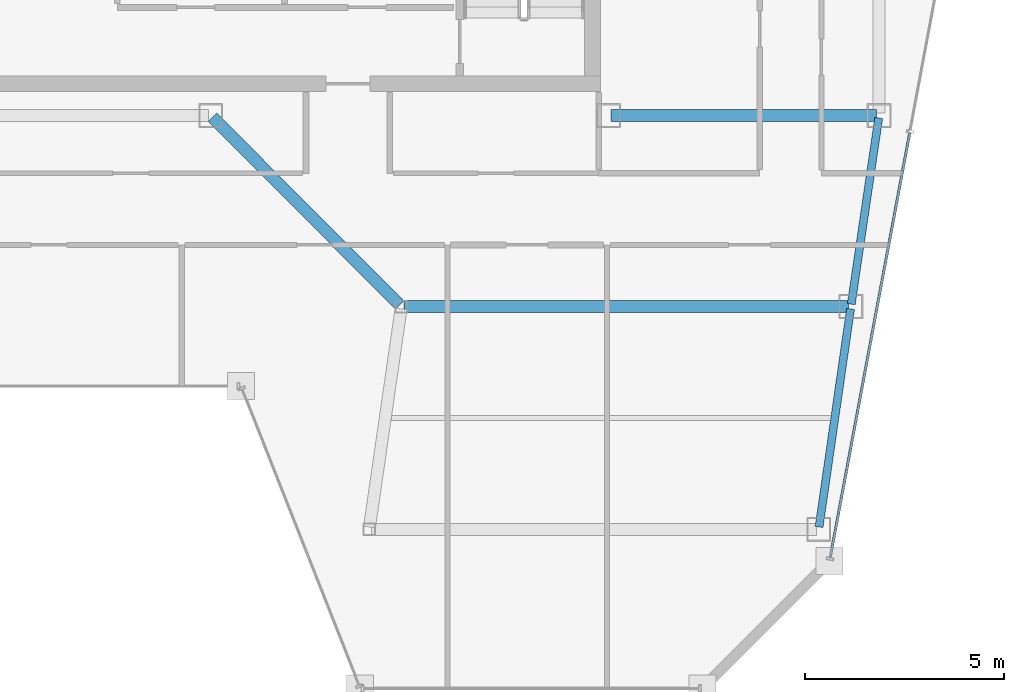
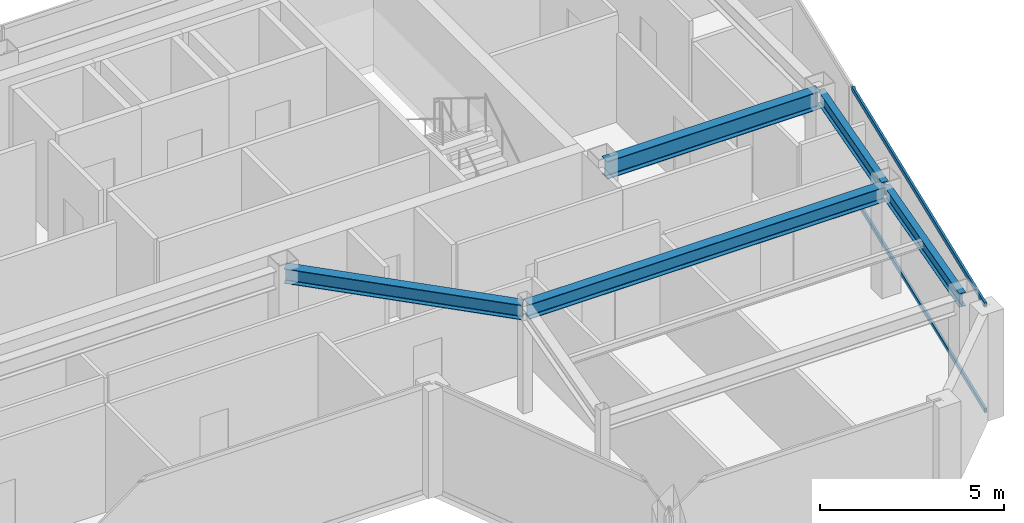
# One storey, part 13 of 23: 5 beams, 2 members, 1 element without a shape of its own.
"""IFC4 building model written with IfcOpenShell, lengths in metres."""

from ifc_helpers import new_model, si_unit, direction, frame, origin, origin_2d, place, context, subcontext, project, spatial, hollow_rectangle, i_section, extrude, material, material_profile, profile_set, type_object, element, aggregate, save


model = new_model("IFC4")

# Units and contexts
model_context = context("Model", 3, precision=1e-05, world=origin(), true_north=direction((0.0, 1.0)))
body_context = subcontext(model_context, "Body", "Model", "MODEL_VIEW")
ifc_project = project(units=[si_unit("LENGTHUNIT", "METRE"), si_unit("AREAUNIT", "SQUARE_METRE"), si_unit("VOLUMEUNIT", "CUBIC_METRE"), si_unit("PLANEANGLEUNIT", "RADIAN"), si_unit("MASSUNIT", "GRAM", prefix="KILO")], contexts=[model_context])

# Site, building, storey
site_placement = place(None, origin())
site = spatial("IfcSite", under=ifc_project, at=site_placement, CompositionType="ELEMENT")
building_placement = place(site_placement, origin())
building = spatial("IfcBuilding", under=site, at=building_placement, Name="Saevonmaru Cultural Tower", CompositionType="ELEMENT")
storey_placement = place(building_placement, frame((0.0, 0.0, 280.0)))
storey = spatial("IfcBuildingStorey", under=building, at=storey_placement, Name="L66", CompositionType="ELEMENT", Elevation=280.0)

# Beams
ifc_material_1 = material(Name="Steel SM355", Category="steel")
ifc_material_profile_1 = material_profile(ifc_material_1, i_section(OverallWidth=0.300048828125, OverallDepth=0.488037109375, WebThickness=0.010986328125, FlangeThickness=0.01806640625, FilletRadius=0.02197265625, at=origin_2d()), Name="H-488x300x11x18")
ifc_profile_set_1 = profile_set([ifc_material_profile_1], Name="Steel SM355")
beam_type_1 = type_object("IfcBeamType", Name="BM-G-H488", PredefinedType="BEAM", material=ifc_profile_set_1)
beam_1_placement = place(storey_placement, frame((41.149658203125, 37.642578125, 3.305908203125), z_axis=(-0.706538566564, 0.707674539572, 0.0), x_axis=(-0.707674539572, -0.706538566564, 0.0)))
element("IfcBeam", 1, at=beam_1_placement, inside=storey, type_object=beam_type_1, Name="L66 East Atrium Girder 2", PredefinedType="BEAM", context=body_context, shape_type="SweptSolid", body=[
    extrude(i_section(OverallWidth=0.300048828125, OverallDepth=0.488037109375, WebThickness=0.010986328125, FlangeThickness=0.01806640625, FilletRadius=0.02197265625, at=origin_2d()), origin(), (0.0, 0.0, 1.0), 6.662353515625),
])
beam_2_placement = place(storey_placement, frame((41.251953125, 37.60009765625, 3.305908203125), z_axis=(1.0, 0.0, 0.0), x_axis=(0.0, 1.0, 0.0)))
element("IfcBeam", 2, at=beam_2_placement, inside=storey, type_object=beam_type_1, Name="L66 East Wing Transverse Girder 2", PredefinedType="BEAM", context=body_context, shape_type="SweptSolid", body=[
    extrude(i_section(OverallWidth=0.300048828125, OverallDepth=0.488037109375, WebThickness=0.010986328125, FlangeThickness=0.01806640625, FilletRadius=0.02197265625, at=origin_2d()), origin(), (0.0, 0.0, 1.0), 11.179931640625),
])
ifc_material_profile_2 = material_profile(ifc_material_1, i_section(OverallWidth=0.300048828125, OverallDepth=0.587890625, WebThickness=0.011962890625, FlangeThickness=0.02001953125, FilletRadius=0.02392578125, at=origin_2d()), Name="H-588x300x12x20")
ifc_profile_set_2 = profile_set([ifc_material_profile_2], Name="Steel SM355")
beam_type_2 = type_object("IfcBeamType", Name="BM-G-H588", PredefinedType="BEAM", material=ifc_profile_set_2)
beam_3_placement = place(storey_placement, frame((46.4599609375, 42.39990234375, 3.256103515625), z_axis=(1.0, 0.0, 0.0), x_axis=(0.0, 1.0, 0.0)))
element("IfcBeam", 3, at=beam_3_placement, inside=storey, type_object=beam_type_2, Name="L66 Core South Girder 5", PredefinedType="BEAM", context=body_context, shape_type="SweptSolid", body=[
    extrude(i_section(OverallWidth=0.300048828125, OverallDepth=0.587890625, WebThickness=0.011962890625, FlangeThickness=0.02001953125, FilletRadius=0.02392578125, at=origin_2d()), origin(), (0.0, 0.0, 1.0), 6.679931640625),
])
ifc_material_profile_3 = material_profile(ifc_material_1, i_section(OverallWidth=0.199951171875, OverallDepth=0.449951171875, WebThickness=0.009033203125, FlangeThickness=0.013916015625, FilletRadius=0.01806640625, at=origin_2d()), Name="H-450x200x9x14")
ifc_profile_set_3 = profile_set([ifc_material_profile_3], Name="Steel SM355")
beam_type_3 = type_object("IfcBeamType", Name="BM-SP-H450", PredefinedType="SPANDREL", material=ifc_profile_set_3)
beam_4_placement = place(storey_placement, frame((51.691650390625, 32.059326171875, 3.324951171875), z_axis=(0.142964121327, 0.989727871697, 0.0), x_axis=(-0.989727871697, 0.142964121327, 0.0)))
element("IfcBeam", 4, at=beam_4_placement, inside=storey, type_object=beam_type_3, Name="L66 East Splayed Spandrel 1", PredefinedType="SPANDREL", context=body_context, shape_type="SweptSolid", body=[
    extrude(i_section(OverallWidth=0.199951171875, OverallDepth=0.449951171875, WebThickness=0.009033203125, FlangeThickness=0.013916015625, FilletRadius=0.01806640625, at=origin_2d()), origin(), (0.0, 0.0, 1.0), 5.5380859375),
])
beam_5_placement = place(storey_placement, frame((52.500732421875, 37.659423828125, 3.324951171875), z_axis=(0.145912860028, 0.989297446312, 0.0), x_axis=(-0.989297446312, 0.145912860028, 0.0)))
element("IfcBeam", 5, at=beam_5_placement, inside=storey, type_object=beam_type_3, Name="L66 East Splayed Spandrel 2", PredefinedType="SPANDREL", context=body_context, shape_type="SweptSolid", body=[
    extrude(i_section(OverallWidth=0.199951171875, OverallDepth=0.449951171875, WebThickness=0.009033203125, FlangeThickness=0.013916015625, FilletRadius=0.01806640625, at=origin_2d()), origin(), (0.0, 0.0, 1.0), 4.731689453125),
])

# Curtain wall, members
ifc_material_2 = material(Name="Satin Bronze Anodised Aluminium", Category="aluminium")
curtain_wall_type = type_object("IfcCurtainWallType", Name="CW-TYP-B", PredefinedType="NOTDEFINED", material=ifc_material_2)
curtain_wall_placement = place(storey_placement, origin())
curtain_wall = element("IfcCurtainWall", 6, at=curtain_wall_placement, inside=storey, type_object=curtain_wall_type, Name="L66 Unitised Curtain Wall E8", PredefinedType="NOTDEFINED")
ifc_material_profile_4 = material_profile(ifc_material_2, hollow_rectangle(XDim=0.06494140625, YDim=0.14990234375, WallThickness=0.00390625, at=origin_2d()), Name="ALU-TRAN-150x65x4")
ifc_profile_set_4 = profile_set([ifc_material_profile_4], Name="Satin Bronze Anodised Aluminium")
member_type = type_object("IfcMemberType", Name="TR-CW-150x65", PredefinedType="USERDEFINED", material=ifc_profile_set_4)
member_1_placement = place(storey_placement, frame((51.97265625, 31.291015625, 0.032470703125), z_axis=(0.184051053742, 0.982916684982, 0.0), x_axis=(-0.982916684982, 0.184051053742, 0.0)))
member_1 = element("IfcMember", 7, at=member_1_placement, type_object=member_type, Name="CW-TW-L66-E8 transom 1.1", ObjectType="TRANSOM", PredefinedType="USERDEFINED", context=body_context, shape_type="SweptSolid", body=[
    extrude(hollow_rectangle(XDim=0.06494140625, YDim=0.14990234375, WallThickness=0.00390625, at=origin_2d()), origin(), (0.0, 0.0, 1.0), 10.862548828125),
])
member_2_placement = place(storey_placement, frame((51.97265625, 31.291015625, 3.517578125), z_axis=(0.184051053742, 0.982916684982, 0.0), x_axis=(-0.982916684982, 0.184051053742, 0.0)))
member_2 = element("IfcMember", 8, at=member_2_placement, type_object=member_type, Name="CW-TW-L66-E8 transom 1.2", ObjectType="TRANSOM", PredefinedType="USERDEFINED", context=body_context, shape_type="SweptSolid", body=[
    extrude(hollow_rectangle(XDim=0.06494140625, YDim=0.14990234375, WallThickness=0.00390625, at=origin_2d()), origin(), (0.0, 0.0, 1.0), 10.862548828125),
])
aggregate(curtain_wall, [member_1, member_2])

save(model, "model.ifc")
